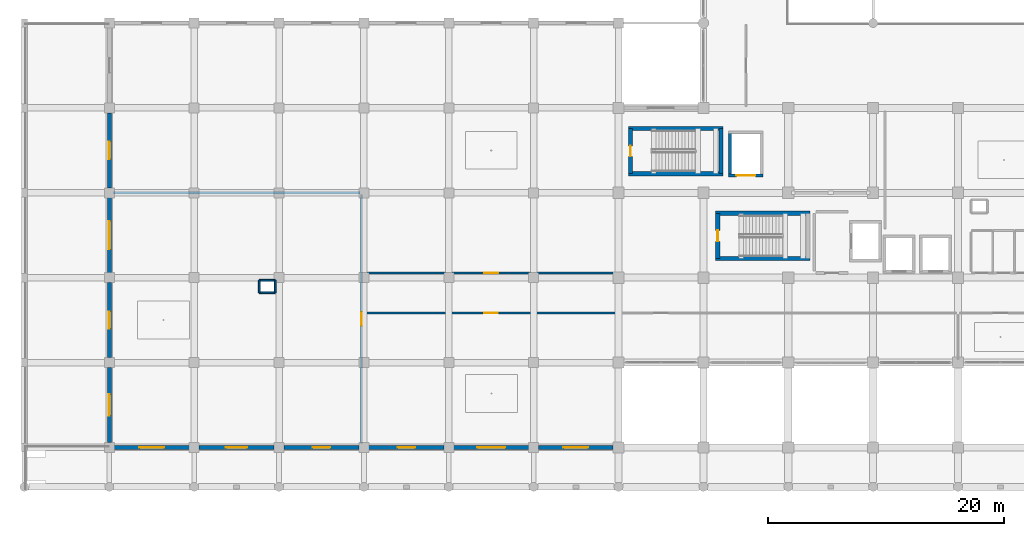
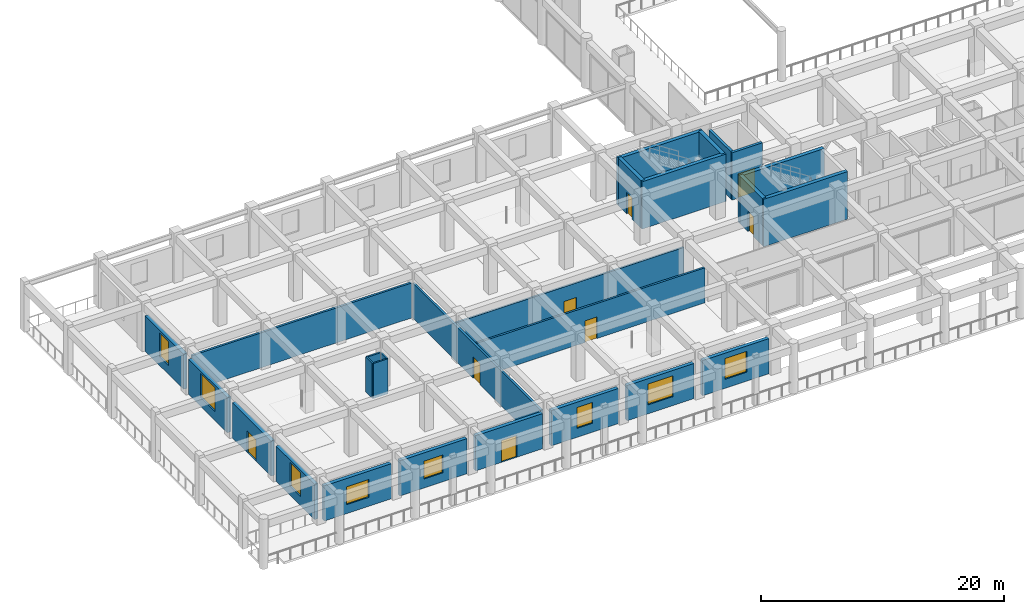
# One storey, part 29 of 54: 27 walls, 8 doors, 8 windows, 16 openings.
"""IFC4 building model written with IfcOpenShell, lengths in metres."""

from ifc_helpers import new_model, si_unit, direction, frame, frame_2d, origin, place, context, subcontext, project, spatial, rectangle, extrude, material, layer, layer_set, type_object, element, fill, save


model = new_model("IFC4")

# Units and contexts
model_context = context("Model", 3, precision=1e-05, world=origin(), true_north=direction((0.0, 1.0)))
body_context = subcontext(model_context, "Body", "Model", "MODEL_VIEW")
ifc_project = project(units=[si_unit("LENGTHUNIT", "METRE"), si_unit("AREAUNIT", "SQUARE_METRE"), si_unit("VOLUMEUNIT", "CUBIC_METRE"), si_unit("PLANEANGLEUNIT", "RADIAN"), si_unit("MASSUNIT", "GRAM", prefix="KILO")], contexts=[model_context])

# Site, building, storey
site_placement = place(None, origin())
site = spatial("IfcSite", under=ifc_project, at=site_placement, CompositionType="ELEMENT")
building_placement = place(site_placement, origin())
building = spatial("IfcBuilding", under=site, at=building_placement, Name="Kazehaya Institute of Natural Sciences", CompositionType="ELEMENT")
storey_placement = place(building_placement, frame((0.0, 0.0, 5.39990234375)))
storey = spatial("IfcBuildingStorey", under=building, at=storey_placement, Name="L01", CompositionType="ELEMENT", Elevation=5.39990234375)

# Walls
ifc_material_1 = material(Name="Concrete Fc42", Category="concrete")
ifc_layer_1 = layer(ifc_material_1, 0.35009765625, Name="Concrete Fc42", Category="concrete")
ifc_layer_set_1 = layer_set([ifc_layer_1], Name="Concrete Fc42")
wall_type_1 = type_object("IfcWallType", Name="WL-CORE-350", PredefinedType="SHEAR", material=ifc_layer_set_1)
for number, where, z_axis, x_axis, name in (
    (1, (70.85498046875, 22.820068359375, 0.0), (0.0, 0.0, 1.0), (-1.0, 0.0, 0.0), "L01 ST-1 core wall S"),
    (2, (62.844970703125, 26.659912109375, 0.0), (0.0, 0.0, 1.0), (1.0, 0.0, 0.0), "L01 ST-1 core wall N"),
):
    element("IfcWall", number, at=place(storey_placement, frame(where, z_axis=z_axis, x_axis=x_axis)), inside=storey, type_object=wall_type_1, Name=name, PredefinedType="SHEAR", context=body_context, shape_type="SweptSolid", body=[
        extrude(rectangle(XDim=8.010009765625, YDim=0.35009765625, at=frame_2d((4.0048828125, 0.0))), origin(), (0.0, 0.0, 1.0), 4.77001953125),
    ])

# Wall, opening, door
wall_1_placement = place(storey_placement, frame((63.02001953125, 22.820068359375, 0.0), z_axis=(0.0, 0.0, 1.0), x_axis=(0.0, 1.0, 0.0)))
wall_1 = element("IfcWall", 3, at=wall_1_placement, inside=storey, type_object=wall_type_1, Name="L01 ST-1 core wall W", PredefinedType="SHEAR", context=body_context, shape_type="SweptSolid", body=[
    extrude(rectangle(XDim=3.83984375, YDim=0.35009765625, at=frame_2d((1.919921875, 0.0))), origin(), (0.0, 0.0, 1.0), 4.77001953125),
])
opening_1_placement = place(wall_1_placement, frame((1.449951171875, 0.0, 0.0)))
opening_1 = element("IfcOpeningElement", 4, at=opening_1_placement, cuts=wall_1, Name="Opening D-ST-003", PredefinedType="OPENING", context=body_context, shape_type="SweptSolid", body=[
    extrude(rectangle(XDim=0.93994140625, YDim=2.06005859375, at=frame_2d((0.469970703125, 1.030029296875))), frame((0.0, 0.18505859375, 0.0), z_axis=(0.0, -1.0, 0.0), x_axis=(1.0, 0.0, 0.0)), (0.0, 0.0, 1.0), 0.3701171875),
])
ifc_material_2 = material(Name="Fire-rated steel acoustic door", Category="steel")
door_type_1 = type_object("IfcDoorType", Name="DT-FD-04", OperationType="NOTDEFINED", PredefinedType="DOOR", material=ifc_material_2)
door_1_placement = place(opening_1_placement, origin())
door_1 = element("IfcDoor", 5, at=door_1_placement, inside=storey, type_object=door_type_1, Name="L01 ST-1 stair enclosure door D-ST-003", OperationType="SINGLE_SWING_LEFT", OverallHeight=2.06005859375, OverallWidth=0.93994140625, PredefinedType="DOOR", context=body_context, shape_type="SweptSolid", body=[
    extrude(rectangle(XDim=0.93994140625, YDim=2.06005859375, at=frame_2d((0.469970703125, 1.030029296875))), frame((0.0, 0.02490234375, 0.0), z_axis=(0.0, -1.0, 0.0), x_axis=(1.0, 0.0, 0.0)), (0.0, 0.0, 1.0), 0.050048828125),
])
fill(opening_1, door_1)

# Walls
for number, where, z_axis, x_axis, name in (
    (6, (63.455078125, 30.02001953125, 0.0), (0.0, 0.0, 1.0), (-1.0, 0.0, 0.0), "L01 ST-4 core wall S"),
    (7, (55.445068359375, 33.860107421875, 0.0), (0.0, 0.0, 1.0), (1.0, 0.0, 0.0), "L01 ST-4 core wall N"),
):
    element("IfcWall", number, at=place(storey_placement, frame(where, z_axis=z_axis, x_axis=x_axis)), inside=storey, type_object=wall_type_1, Name=name, PredefinedType="SHEAR", context=body_context, shape_type="SweptSolid", body=[
        extrude(rectangle(XDim=8.010009765625, YDim=0.35009765625, at=frame_2d((4.0048828125, 0.0))), origin(), (0.0, 0.0, 1.0), 4.77001953125),
    ])

# Wall, opening, door
wall_2_placement = place(storey_placement, frame((55.6201171875, 30.02001953125, 0.0), z_axis=(0.0, 0.0, 1.0), x_axis=(0.0, 1.0, 0.0)))
wall_2 = element("IfcWall", 8, at=wall_2_placement, inside=storey, type_object=wall_type_1, Name="L01 ST-4 core wall W", PredefinedType="SHEAR", context=body_context, shape_type="SweptSolid", body=[
    extrude(rectangle(XDim=3.840087890625, YDim=0.35009765625, at=frame_2d((1.919921875, 0.0))), origin(), (0.0, 0.0, 1.0), 4.77001953125),
])
opening_2_placement = place(wall_2_placement, frame((1.469970703125, 0.0, 0.0)))
opening_2 = element("IfcOpeningElement", 9, at=opening_2_placement, cuts=wall_2, Name="Opening D-ST-032", PredefinedType="OPENING", context=body_context, shape_type="SweptSolid", body=[
    extrude(rectangle(XDim=0.89990234375, YDim=2.179931640625, at=frame_2d((0.449951171875, 1.08984375))), frame((0.0, 0.18505859375, 0.0), z_axis=(0.0, -1.0, 0.0), x_axis=(1.0, 0.0, 0.0)), (0.0, 0.0, 1.0), 0.3701171875),
])
door_type_2 = type_object("IfcDoorType", Name="DT-FD-03", OperationType="NOTDEFINED", PredefinedType="DOOR", material=ifc_material_2)
door_2_placement = place(opening_2_placement, origin())
door_2 = element("IfcDoor", 10, at=door_2_placement, inside=storey, type_object=door_type_2, Name="L01 ST-4 stair enclosure door D-ST-032", OperationType="SINGLE_SWING_RIGHT", OverallHeight=2.179931640625, OverallWidth=0.89990234375, PredefinedType="DOOR", context=body_context, shape_type="SweptSolid", body=[
    extrude(rectangle(XDim=0.89990234375, YDim=2.179931640625, at=frame_2d((0.449951171875, 1.08984375))), frame((0.0, 0.02490234375, 0.0), z_axis=(0.0, -1.0, 0.0), x_axis=(1.0, 0.0, 0.0)), (0.0, 0.0, 1.0), 0.050048828125),
])
fill(opening_2, door_2)

# Wall
wall_3_placement = place(storey_placement, frame((63.280029296875, 33.860107421875, 0.0), z_axis=(0.0, 0.0, 1.0), x_axis=(0.0, -1.0, 0.0)))
element("IfcWall", 11, at=wall_3_placement, inside=storey, type_object=wall_type_1, Name="L01 ST-4 core wall E", PredefinedType="SHEAR", context=body_context, shape_type="SweptSolid", body=[
    extrude(rectangle(XDim=3.840087890625, YDim=0.35009765625, at=frame_2d((1.919921875, 0.0))), origin(), (0.0, 0.0, 1.0), 4.77001953125),
])

# Wall, opening, window
ifc_material_3 = material(Name="Precast concrete Fc36", Category="concrete")
ifc_layer_2 = layer(ifc_material_3, 0.340087890625, Name="Precast concrete Fc36", Category="concrete")
ifc_layer_set_2 = layer_set([ifc_layer_2], Name="Precast concrete Fc36")
wall_type_2 = type_object("IfcWallType", Name="WL-EXT-340", PredefinedType="SOLIDWALL", material=ifc_layer_set_2)
wall_4_placement = place(storey_placement, frame((11.39990234375, 7.2099609375, 0.0), z_axis=(0.0, 0.0, 1.0), x_axis=(0.0, 1.0, 0.0)))
wall_4 = element("IfcWall", 12, at=wall_4_placement, inside=storey, type_object=wall_type_2, Name="L01 exterior wall EW-L01-0351", PredefinedType="SOLIDWALL", context=body_context, shape_type="SweptSolid", body=[
    extrude(rectangle(XDim=6.380126953125, YDim=0.340087890625, at=frame_2d((3.18994140625, 0.0))), origin(), (0.0, 0.0, 1.0), 3.5400390625),
])
opening_3_placement = place(wall_4_placement, frame((2.2900390625, 0.0, 0.89990234375)))
opening_3 = element("IfcOpeningElement", 13, at=opening_3_placement, cuts=wall_4, Name="Opening W01", PredefinedType="OPENING", context=body_context, shape_type="SweptSolid", body=[
    extrude(rectangle(XDim=1.800048828125, YDim=2.39990234375, at=frame_2d((0.89990234375, 1.199951171875))), frame((0.0, 0.179931640625, 0.0), z_axis=(0.0, -1.0, 0.0), x_axis=(1.0, 0.0, 0.0)), (0.0, 0.0, 1.0), 0.360107421875),
])
ifc_material_4 = material(Name="Low-E double-glazed aluminium window", Category="aluminium")
window_type_1 = type_object("IfcWindowType", Name="WN-01", PartitioningType="DOUBLE_PANEL_VERTICAL", PredefinedType="WINDOW", material=ifc_material_4)
window_1_placement = place(opening_3_placement, origin())
window_1 = element("IfcWindow", 14, at=window_1_placement, inside=storey, type_object=window_type_1, Name="L01 facade window 0213", OverallHeight=2.39990234375, OverallWidth=1.800048828125, PartitioningType="DOUBLE_PANEL_VERTICAL", PredefinedType="WINDOW", context=body_context, shape_type="SweptSolid", body=[
    extrude(rectangle(XDim=1.800048828125, YDim=2.39990234375, at=frame_2d((0.89990234375, 1.199951171875))), frame((0.0, 0.030029296875, 0.0), z_axis=(0.0, -1.0, 0.0), x_axis=(1.0, 0.0, 0.0)), (0.0, 0.0, 1.0), 0.06005859375),
])
fill(opening_3, window_1)

# Wall, opening, door
wall_5_placement = place(storey_placement, frame((11.39990234375, 14.409912109375, 0.0), z_axis=(0.0, 0.0, 1.0), x_axis=(0.0, 1.0, 0.0)))
wall_5 = element("IfcWall", 15, at=wall_5_placement, inside=storey, type_object=wall_type_2, Name="L01 exterior wall EW-L01-0352", PredefinedType="SOLIDWALL", context=body_context, shape_type="SweptSolid", body=[
    extrude(rectangle(XDim=6.380126953125, YDim=0.340087890625, at=frame_2d((3.18994140625, 0.0))), origin(), (0.0, 0.0, 1.0), 3.5400390625),
])
opening_4_placement = place(wall_5_placement, frame((2.465087890625, 0.0, 0.0)))
opening_4 = element("IfcOpeningElement", 16, at=opening_4_placement, cuts=wall_5, Name="Opening D-TER-L01W", PredefinedType="OPENING", context=body_context, shape_type="SweptSolid", body=[
    extrude(rectangle(XDim=1.449951171875, YDim=2.199951171875, at=frame_2d((0.72509765625, 1.10009765625))), frame((0.0, 0.179931640625, 0.0), z_axis=(0.0, -1.0, 0.0), x_axis=(1.0, 0.0, 0.0)), (0.0, 0.0, 1.0), 0.360107421875),
])
ifc_material_5 = material(Name="Insulated bronze-clad steel door", Category="steel")
door_type_3 = type_object("IfcDoorType", Name="DT-TER-1450x2200", OperationType="DOUBLE_DOOR_SINGLE_SWING", PredefinedType="DOOR", material=ifc_material_5)
door_3_placement = place(opening_4_placement, origin())
door_3 = element("IfcDoor", 17, at=door_3_placement, inside=storey, type_object=door_type_3, Name="L01 exterior door D-TER-L01W", OperationType="DOUBLE_DOOR_SINGLE_SWING", OverallHeight=2.199951171875, OverallWidth=1.449951171875, PredefinedType="DOOR", context=body_context, shape_type="SweptSolid", body=[
    extrude(rectangle(XDim=1.449951171875, YDim=2.199951171875, at=frame_2d((0.72509765625, 1.10009765625))), frame((0.0, 0.02490234375, 0.0), z_axis=(0.0, -1.0, 0.0), x_axis=(1.0, 0.0, 0.0)), (0.0, 0.0, 1.0), 0.050048828125),
])
fill(opening_4, door_3)

# Wall, opening, window
wall_6_placement = place(storey_placement, frame((11.39990234375, 21.610107421875, 0.0), z_axis=(0.0, 0.0, 1.0), x_axis=(0.0, 1.0, 0.0)))
wall_6 = element("IfcWall", 18, at=wall_6_placement, inside=storey, type_object=wall_type_2, Name="L01 exterior wall EW-L01-0353", PredefinedType="SOLIDWALL", context=body_context, shape_type="SweptSolid", body=[
    extrude(rectangle(XDim=6.3798828125, YDim=0.340087890625, at=frame_2d((3.18994140625, 0.0))), origin(), (0.0, 0.0, 1.0), 3.5400390625),
])
opening_5_placement = place(wall_6_placement, frame((1.989990234375, 0.0, 0.89990234375)))
opening_5 = element("IfcOpeningElement", 19, at=opening_5_placement, cuts=wall_6, Name="Opening W03", PredefinedType="OPENING", context=body_context, shape_type="SweptSolid", body=[
    extrude(rectangle(XDim=2.39990234375, YDim=2.39990234375, at=frame_2d((1.199951171875, 1.199951171875))), frame((0.0, 0.179931640625, 0.0), z_axis=(0.0, -1.0, 0.0), x_axis=(1.0, 0.0, 0.0)), (0.0, 0.0, 1.0), 0.360107421875),
])
window_type_2 = type_object("IfcWindowType", Name="WN-03", PartitioningType="DOUBLE_PANEL_VERTICAL", PredefinedType="WINDOW", material=ifc_material_4)
window_2_placement = place(opening_5_placement, origin())
window_2 = element("IfcWindow", 20, at=window_2_placement, inside=storey, type_object=window_type_2, Name="L01 facade window 0214", OverallHeight=2.39990234375, OverallWidth=2.39990234375, PartitioningType="DOUBLE_PANEL_VERTICAL", PredefinedType="WINDOW", context=body_context, shape_type="SweptSolid", body=[
    extrude(rectangle(XDim=2.39990234375, YDim=2.39990234375, at=frame_2d((1.199951171875, 1.199951171875))), frame((0.0, 0.030029296875, 0.0), z_axis=(0.0, -1.0, 0.0), x_axis=(1.0, 0.0, 0.0)), (0.0, 0.0, 1.0), 0.06005859375),
])
fill(opening_5, window_2)

wall_7_placement = place(storey_placement, frame((11.39990234375, 28.81005859375, 0.0), z_axis=(0.0, 0.0, 1.0), x_axis=(0.0, 1.0, 0.0)))
wall_7 = element("IfcWall", 21, at=wall_7_placement, inside=storey, type_object=wall_type_2, Name="L01 exterior wall EW-L01-0354", PredefinedType="SOLIDWALL", context=body_context, shape_type="SweptSolid", body=[
    extrude(rectangle(XDim=6.3798828125, YDim=0.340087890625, at=frame_2d((3.18994140625, 0.0))), origin(), (0.0, 0.0, 1.0), 3.5400390625),
])
opening_6_placement = place(wall_7_placement, frame((2.43994140625, 0.0, 0.89990234375)))
opening_6 = element("IfcOpeningElement", 22, at=opening_6_placement, cuts=wall_7, Name="Opening W04", PredefinedType="OPENING", context=body_context, shape_type="SweptSolid", body=[
    extrude(rectangle(XDim=1.5, YDim=2.39990234375, at=frame_2d((0.75, 1.199951171875))), frame((0.0, 0.179931640625, 0.0), z_axis=(0.0, -1.0, 0.0), x_axis=(1.0, 0.0, 0.0)), (0.0, 0.0, 1.0), 0.360107421875),
])
window_type_3 = type_object("IfcWindowType", Name="WN-04", PartitioningType="SINGLE_PANEL", PredefinedType="WINDOW", material=ifc_material_4)
window_3_placement = place(opening_6_placement, origin())
window_3 = element("IfcWindow", 23, at=window_3_placement, inside=storey, type_object=window_type_3, Name="L01 facade window 0215", OverallHeight=2.39990234375, OverallWidth=1.5, PartitioningType="SINGLE_PANEL", PredefinedType="WINDOW", context=body_context, shape_type="SweptSolid", body=[
    extrude(rectangle(XDim=1.5, YDim=2.39990234375, at=frame_2d((0.75, 1.199951171875))), frame((0.0, 0.030029296875, 0.0), z_axis=(0.0, -1.0, 0.0), x_axis=(1.0, 0.0, 0.0)), (0.0, 0.0, 1.0), 0.06005859375),
])
fill(opening_6, window_3)

wall_8_placement = place(storey_placement, frame((54.139892578125, 6.800048828125, 0.0), z_axis=(0.0, 0.0, 1.0), x_axis=(-1.0, 0.0, 0.0)))
wall_8 = element("IfcWall", 24, at=wall_8_placement, inside=storey, type_object=wall_type_2, Name="L01 exterior wall EW-L01-0356", PredefinedType="SOLIDWALL", context=body_context, shape_type="SweptSolid", body=[
    extrude(rectangle(XDim=6.329833984375, YDim=0.340087890625, at=frame_2d((3.1650390625, 0.0))), origin(), (0.0, 0.0, 1.0), 3.5400390625),
])
opening_7_placement = place(wall_8_placement, frame((2.114990234375, 0.0, 0.89990234375)))
opening_7 = element("IfcOpeningElement", 25, at=opening_7_placement, cuts=wall_8, Name="Opening W07", PredefinedType="OPENING", context=body_context, shape_type="SweptSolid", body=[
    extrude(rectangle(XDim=2.10009765625, YDim=2.10009765625, at=frame_2d((1.050048828125, 1.050048828125))), frame((0.0, 0.179931640625, 0.0), z_axis=(0.0, -1.0, 0.0), x_axis=(1.0, 0.0, 0.0)), (0.0, 0.0, 1.0), 0.360107421875),
])
window_type_4 = type_object("IfcWindowType", Name="WN-07", PartitioningType="DOUBLE_PANEL_VERTICAL", PredefinedType="WINDOW", material=ifc_material_4)
window_4_placement = place(opening_7_placement, origin())
window_4 = element("IfcWindow", 26, at=window_4_placement, inside=storey, type_object=window_type_4, Name="L01 facade window 0217", OverallHeight=2.10009765625, OverallWidth=2.10009765625, PartitioningType="DOUBLE_PANEL_VERTICAL", PredefinedType="WINDOW", context=body_context, shape_type="SweptSolid", body=[
    extrude(rectangle(XDim=2.10009765625, YDim=2.10009765625, at=frame_2d((1.050048828125, 1.050048828125))), frame((0.0, 0.030029296875, 0.0), z_axis=(0.0, -1.0, 0.0), x_axis=(1.0, 0.0, 0.0)), (0.0, 0.0, 1.0), 0.06005859375),
])
fill(opening_7, window_4)

wall_9_placement = place(storey_placement, frame((46.989990234375, 6.800048828125, 0.0), z_axis=(0.0, 0.0, 1.0), x_axis=(-1.0, 0.0, 0.0)))
wall_9 = element("IfcWall", 27, at=wall_9_placement, inside=storey, type_object=wall_type_2, Name="L01 exterior wall EW-L01-0357", PredefinedType="SOLIDWALL", context=body_context, shape_type="SweptSolid", body=[
    extrude(rectangle(XDim=6.3798828125, YDim=0.340087890625, at=frame_2d((3.18994140625, 0.0))), origin(), (0.0, 0.0, 1.0), 3.5400390625),
])
opening_8_placement = place(wall_9_placement, frame((1.989990234375, 0.0, 0.89990234375)))
opening_8 = element("IfcOpeningElement", 28, at=opening_8_placement, cuts=wall_9, Name="Opening W08", PredefinedType="OPENING", context=body_context, shape_type="SweptSolid", body=[
    extrude(rectangle(XDim=2.39990234375, YDim=2.10009765625, at=frame_2d((1.199951171875, 1.050048828125))), frame((0.0, 0.179931640625, 0.0), z_axis=(0.0, -1.0, 0.0), x_axis=(1.0, 0.0, 0.0)), (0.0, 0.0, 1.0), 0.360107421875),
])
window_type_5 = type_object("IfcWindowType", Name="WN-08", PartitioningType="DOUBLE_PANEL_VERTICAL", PredefinedType="WINDOW", material=ifc_material_4)
window_5_placement = place(opening_8_placement, origin())
window_5 = element("IfcWindow", 29, at=window_5_placement, inside=storey, type_object=window_type_5, Name="L01 facade window 0218", OverallHeight=2.10009765625, OverallWidth=2.39990234375, PartitioningType="DOUBLE_PANEL_VERTICAL", PredefinedType="WINDOW", context=body_context, shape_type="SweptSolid", body=[
    extrude(rectangle(XDim=2.39990234375, YDim=2.10009765625, at=frame_2d((1.199951171875, 1.050048828125))), frame((0.0, 0.030029296875, 0.0), z_axis=(0.0, -1.0, 0.0), x_axis=(1.0, 0.0, 0.0)), (0.0, 0.0, 1.0), 0.06005859375),
])
fill(opening_8, window_5)

wall_10_placement = place(storey_placement, frame((39.7900390625, 6.800048828125, 0.0), z_axis=(0.0, 0.0, 1.0), x_axis=(-1.0, 0.0, 0.0)))
wall_10 = element("IfcWall", 30, at=wall_10_placement, inside=storey, type_object=wall_type_2, Name="L01 exterior wall EW-L01-0358", PredefinedType="SOLIDWALL", context=body_context, shape_type="SweptSolid", body=[
    extrude(rectangle(XDim=6.380126953125, YDim=0.340087890625, at=frame_2d((3.18994140625, 0.0))), origin(), (0.0, 0.0, 1.0), 3.5400390625),
])
opening_9_placement = place(wall_10_placement, frame((2.43994140625, 0.0, 0.89990234375)))
opening_9 = element("IfcOpeningElement", 31, at=opening_9_placement, cuts=wall_10, Name="Opening W09", PredefinedType="OPENING", context=body_context, shape_type="SweptSolid", body=[
    extrude(rectangle(XDim=1.5, YDim=2.10009765625, at=frame_2d((0.75, 1.050048828125))), frame((0.0, 0.179931640625, 0.0), z_axis=(0.0, -1.0, 0.0), x_axis=(1.0, 0.0, 0.0)), (0.0, 0.0, 1.0), 0.360107421875),
])
window_type_6 = type_object("IfcWindowType", Name="WN-09", PartitioningType="SINGLE_PANEL", PredefinedType="WINDOW", material=ifc_material_4)
window_6_placement = place(opening_9_placement, origin())
window_6 = element("IfcWindow", 32, at=window_6_placement, inside=storey, type_object=window_type_6, Name="L01 facade window 0219", OverallHeight=2.10009765625, OverallWidth=1.5, PartitioningType="SINGLE_PANEL", PredefinedType="WINDOW", context=body_context, shape_type="SweptSolid", body=[
    extrude(rectangle(XDim=1.5, YDim=2.10009765625, at=frame_2d((0.75, 1.050048828125))), frame((0.0, 0.030029296875, 0.0), z_axis=(0.0, -1.0, 0.0), x_axis=(1.0, 0.0, 0.0)), (0.0, 0.0, 1.0), 0.06005859375),
])
fill(opening_9, window_6)

# Wall, opening, door
wall_11_placement = place(storey_placement, frame((32.590087890625, 6.800048828125, 0.0), z_axis=(0.0, 0.0, 1.0), x_axis=(-1.0, 0.0, 0.0)))
wall_11 = element("IfcWall", 33, at=wall_11_placement, inside=storey, type_object=wall_type_2, Name="L01 exterior wall EW-L01-0359", PredefinedType="SOLIDWALL", context=body_context, shape_type="SweptSolid", body=[
    extrude(rectangle(XDim=6.380126953125, YDim=0.340087890625, at=frame_2d((3.18994140625, 0.0))), origin(), (0.0, 0.0, 1.0), 3.5400390625),
])
opening_10_placement = place(wall_11_placement, frame((2.43994140625, 0.0, 0.0)))
opening_10 = element("IfcOpeningElement", 34, at=opening_10_placement, cuts=wall_11, Name="Opening D-TER-L01S", PredefinedType="OPENING", context=body_context, shape_type="SweptSolid", body=[
    extrude(rectangle(XDim=1.5, YDim=2.199951171875, at=frame_2d((0.75, 1.10009765625))), frame((0.0, 0.179931640625, 0.0), z_axis=(0.0, -1.0, 0.0), x_axis=(1.0, 0.0, 0.0)), (0.0, 0.0, 1.0), 0.360107421875),
])
door_type_4 = type_object("IfcDoorType", Name="DT-TER-1500x2200", OperationType="DOUBLE_DOOR_SINGLE_SWING", PredefinedType="DOOR", material=ifc_material_5)
door_4_placement = place(opening_10_placement, origin())
door_4 = element("IfcDoor", 35, at=door_4_placement, inside=storey, type_object=door_type_4, Name="L01 exterior door D-TER-L01S", OperationType="DOUBLE_DOOR_SINGLE_SWING", OverallHeight=2.199951171875, OverallWidth=1.5, PredefinedType="DOOR", context=body_context, shape_type="SweptSolid", body=[
    extrude(rectangle(XDim=1.5, YDim=2.199951171875, at=frame_2d((0.75, 1.10009765625))), frame((0.0, 0.02490234375, 0.0), z_axis=(0.0, -1.0, 0.0), x_axis=(1.0, 0.0, 0.0)), (0.0, 0.0, 1.0), 0.050048828125),
])
fill(opening_10, door_4)

# Wall, opening, window
wall_12_placement = place(storey_placement, frame((25.389892578125, 6.800048828125, 0.0), z_axis=(0.0, 0.0, 1.0), x_axis=(-1.0, 0.0, 0.0)))
wall_12 = element("IfcWall", 36, at=wall_12_placement, inside=storey, type_object=wall_type_2, Name="L01 exterior wall EW-L01-0360", PredefinedType="SOLIDWALL", context=body_context, shape_type="SweptSolid", body=[
    extrude(rectangle(XDim=6.3798828125, YDim=0.340087890625, at=frame_2d((3.18994140625, 0.0))), origin(), (0.0, 0.0, 1.0), 3.5400390625),
])
opening_11_placement = place(wall_12_placement, frame((2.2900390625, 0.0, 0.89990234375)))
opening_11 = element("IfcOpeningElement", 37, at=opening_11_placement, cuts=wall_12, Name="Opening W11", PredefinedType="OPENING", context=body_context, shape_type="SweptSolid", body=[
    extrude(rectangle(XDim=1.800048828125, YDim=1.800048828125, at=frame_2d((0.89990234375, 0.89990234375))), frame((0.0, 0.179931640625, 0.0), z_axis=(0.0, -1.0, 0.0), x_axis=(1.0, 0.0, 0.0)), (0.0, 0.0, 1.0), 0.360107421875),
])
window_type_7 = type_object("IfcWindowType", Name="WN-11", PartitioningType="DOUBLE_PANEL_VERTICAL", PredefinedType="WINDOW", material=ifc_material_4)
window_7_placement = place(opening_11_placement, origin())
window_7 = element("IfcWindow", 38, at=window_7_placement, inside=storey, type_object=window_type_7, Name="L01 facade window 0220", OverallHeight=1.800048828125, OverallWidth=1.800048828125, PartitioningType="DOUBLE_PANEL_VERTICAL", PredefinedType="WINDOW", context=body_context, shape_type="SweptSolid", body=[
    extrude(rectangle(XDim=1.800048828125, YDim=1.800048828125, at=frame_2d((0.89990234375, 0.89990234375))), frame((0.0, 0.030029296875, 0.0), z_axis=(0.0, -1.0, 0.0), x_axis=(1.0, 0.0, 0.0)), (0.0, 0.0, 1.0), 0.06005859375),
])
fill(opening_11, window_7)

wall_13_placement = place(storey_placement, frame((18.18994140625, 6.800048828125, 0.0), z_axis=(0.0, 0.0, 1.0), x_axis=(-1.0, 0.0, 0.0)))
wall_13 = element("IfcWall", 39, at=wall_13_placement, inside=storey, type_object=wall_type_2, Name="L01 exterior wall EW-L01-0361", PredefinedType="SOLIDWALL", context=body_context, shape_type="SweptSolid", body=[
    extrude(rectangle(XDim=6.3798828125, YDim=0.340087890625, at=frame_2d((3.18994140625, 0.0))), origin(), (0.0, 0.0, 1.0), 3.5400390625),
])
opening_12_placement = place(wall_13_placement, frame((2.139892578125, 0.0, 0.89990234375)))
opening_12 = element("IfcOpeningElement", 40, at=opening_12_placement, cuts=wall_13, Name="Opening W12", PredefinedType="OPENING", context=body_context, shape_type="SweptSolid", body=[
    extrude(rectangle(XDim=2.10009765625, YDim=1.800048828125, at=frame_2d((1.050048828125, 0.89990234375))), frame((0.0, 0.179931640625, 0.0), z_axis=(0.0, -1.0, 0.0), x_axis=(1.0, 0.0, 0.0)), (0.0, 0.0, 1.0), 0.360107421875),
])
window_type_8 = type_object("IfcWindowType", Name="WN-12", PartitioningType="DOUBLE_PANEL_VERTICAL", PredefinedType="WINDOW", material=ifc_material_4)
window_8_placement = place(opening_12_placement, origin())
window_8 = element("IfcWindow", 41, at=window_8_placement, inside=storey, type_object=window_type_8, Name="L01 facade window 0221", OverallHeight=1.800048828125, OverallWidth=2.10009765625, PartitioningType="DOUBLE_PANEL_VERTICAL", PredefinedType="WINDOW", context=body_context, shape_type="SweptSolid", body=[
    extrude(rectangle(XDim=2.10009765625, YDim=1.800048828125, at=frame_2d((1.050048828125, 0.89990234375))), frame((0.0, 0.030029296875, 0.0), z_axis=(0.0, -1.0, 0.0), x_axis=(1.0, 0.0, 0.0)), (0.0, 0.0, 1.0), 0.06005859375),
])
fill(opening_12, window_8)

# Wall, opening, door
ifc_material_6 = material(Name="Cleanroom insulated metal partition")
ifc_layer_3 = layer(ifc_material_6, 0.179931640625, Name="Cleanroom insulated metal partition")
ifc_layer_set_3 = layer_set([ifc_layer_3], Name="Cleanroom insulated metal partition")
wall_type_3 = type_object("IfcWallType", Name="WL-PART-180", PredefinedType="PARTITIONING", material=ifc_layer_set_3)
wall_14_placement = place(storey_placement, frame((54.64990234375, 21.60009765625, 0.0), z_axis=(0.0, 0.0, 1.0), x_axis=(-1.0, 0.0, 0.0)))
wall_14 = element("IfcWall", 42, at=wall_14_placement, inside=storey, type_object=wall_type_3, Name="L01 Bio-Safety Clean Laboratory partition IW-L01-0112", PredefinedType="PARTITIONING", context=body_context, shape_type="SweptSolid", body=[
    extrude(rectangle(XDim=21.699951171875, YDim=0.179931640625, at=frame_2d((10.85009765625, 0.0))), origin(), (0.0, 0.0, 1.0), 3.52001953125),
])
opening_13_placement = place(wall_14_placement, frame((10.260009765625, 0.0, 0.0)))
opening_13 = element("IfcOpeningElement", 43, at=opening_13_placement, cuts=wall_14, Name="Opening D-L01-0089", PredefinedType="OPENING", context=body_context, shape_type="SweptSolid", body=[
    extrude(rectangle(XDim=1.179931640625, YDim=2.06005859375, at=frame_2d((0.58984375, 1.030029296875))), frame((0.0, 0.099853515625, 0.0), z_axis=(0.0, -1.0, 0.0), x_axis=(1.0, 0.0, 0.0)), (0.0, 0.0, 1.0), 0.199951171875),
])
door_type_5 = type_object("IfcDoorType", Name="DT-FD-22", OperationType="NOTDEFINED", PredefinedType="DOOR", material=ifc_material_2)
door_5_placement = place(opening_13_placement, origin())
door_5 = element("IfcDoor", 44, at=door_5_placement, inside=storey, type_object=door_type_5, Name="L01 Bio-Safety Clean Laboratory door D-L01-0089", OperationType="SINGLE_SWING_LEFT", OverallHeight=2.06005859375, OverallWidth=1.179931640625, PredefinedType="DOOR", context=body_context, shape_type="SweptSolid", body=[
    extrude(rectangle(XDim=1.179931640625, YDim=2.06005859375, at=frame_2d((0.58984375, 1.030029296875))), frame((0.0, 0.02490234375, 0.0), z_axis=(0.0, -1.0, 0.0), x_axis=(1.0, 0.0, 0.0)), (0.0, 0.0, 1.0), 0.050048828125),
])
fill(opening_13, door_5)

ifc_material_7 = material(Name="Gypsum acoustic lab partition", Category="gypsum")
ifc_layer_4 = layer(ifc_material_7, 0.18994140625, Name="Gypsum acoustic lab partition", Category="gypsum")
ifc_layer_set_4 = layer_set([ifc_layer_4], Name="Gypsum acoustic lab partition")
wall_type_4 = type_object("IfcWallType", Name="WL-PART-190", PredefinedType="PARTITIONING", material=ifc_layer_set_4)
wall_15_placement = place(storey_placement, frame((32.949951171875, 18.199951171875, 0.0), z_axis=(0.0, 0.0, 1.0), x_axis=(1.0, 0.0, 0.0)))
wall_15 = element("IfcWall", 45, at=wall_15_placement, inside=storey, type_object=wall_type_4, Name="L01 Clean Room Gowning and Metrology Suite partition IW-L01-0111", PredefinedType="PARTITIONING", context=body_context, shape_type="SweptSolid", body=[
    extrude(rectangle(XDim=21.699951171875, YDim=0.18994140625, at=frame_2d((10.85009765625, 0.0))), origin(), (0.0, 0.0, 1.0), 3.52001953125),
])
opening_14_placement = place(wall_15_placement, frame((10.280029296875, 0.0, 0.0)))
opening_14 = element("IfcOpeningElement", 46, at=opening_14_placement, cuts=wall_15, Name="Opening D-L01-0088", PredefinedType="OPENING", context=body_context, shape_type="SweptSolid", body=[
    extrude(rectangle(XDim=1.139892578125, YDim=2.179931640625, at=frame_2d((0.56982421875, 1.08984375))), frame((0.0, 0.10498046875, 0.0), z_axis=(0.0, -1.0, 0.0), x_axis=(1.0, 0.0, 0.0)), (0.0, 0.0, 1.0), 0.2099609375),
])
door_type_6 = type_object("IfcDoorType", Name="DT-FD-21", OperationType="NOTDEFINED", PredefinedType="DOOR", material=ifc_material_2)
door_6_placement = place(opening_14_placement, origin())
door_6 = element("IfcDoor", 47, at=door_6_placement, inside=storey, type_object=door_type_6, Name="L01 Clean Room Gowning and Metrology Suite door D-L01-0088", OperationType="SINGLE_SWING_RIGHT", OverallHeight=2.179931640625, OverallWidth=1.139892578125, PredefinedType="DOOR", context=body_context, shape_type="SweptSolid", body=[
    extrude(rectangle(XDim=1.139892578125, YDim=2.179931640625, at=frame_2d((0.56982421875, 1.08984375))), frame((0.0, 0.02490234375, 0.0), z_axis=(0.0, -1.0, 0.0), x_axis=(1.0, 0.0, 0.0)), (0.0, 0.0, 1.0), 0.050048828125),
])
fill(opening_14, door_6)

# Wall
ifc_material_8 = material(Name="Gypsum fire-rated partition", Category="gypsum")
ifc_layer_5 = layer(ifc_material_8, 0.199951171875, Name="Gypsum fire-rated partition", Category="gypsum")
ifc_layer_set_5 = layer_set([ifc_layer_5], Name="Gypsum fire-rated partition")
wall_type_5 = type_object("IfcWallType", Name="WL-PART-200", PredefinedType="PARTITIONING", material=ifc_layer_set_5)
wall_16_placement = place(storey_placement, frame((11.75, 28.39990234375, 0.0), z_axis=(0.0, 0.0, 1.0), x_axis=(1.0, 0.0, 0.0)))
element("IfcWall", 48, at=wall_16_placement, inside=storey, type_object=wall_type_5, Name="L01 Clean Room ISO Class Six Suite partition IW-L01-0109", PredefinedType="PARTITIONING", context=body_context, shape_type="SweptSolid", body=[
    extrude(rectangle(XDim=20.89990234375, YDim=0.199951171875, at=frame_2d((10.449951171875, 0.0))), origin(), (0.0, 0.0, 1.0), 3.52001953125),
])

# Wall, opening, door
wall_17_placement = place(storey_placement, frame((32.800048828125, 28.25, 0.0), z_axis=(0.0, 0.0, 1.0), x_axis=(0.0, -1.0, 0.0)))
wall_17 = element("IfcWall", 49, at=wall_17_placement, inside=storey, type_object=wall_type_5, Name="L01 Clean Room ISO Class Six Suite partition IW-L01-0110", PredefinedType="PARTITIONING", context=body_context, shape_type="SweptSolid", body=[
    extrude(rectangle(XDim=21.10009765625, YDim=0.199951171875, at=frame_2d((10.550048828125, 0.0))), origin(), (0.0, 0.0, 1.0), 3.52001953125),
])
opening_15_placement = place(wall_17_placement, frame((9.97998046875, 0.0, 0.0)))
opening_15 = element("IfcOpeningElement", 50, at=opening_15_placement, cuts=wall_17, Name="Opening D-L01-0087", PredefinedType="OPENING", context=body_context, shape_type="SweptSolid", body=[
    extrude(rectangle(XDim=1.139892578125, YDim=2.1201171875, at=frame_2d((0.56982421875, 1.06005859375))), frame((0.0, 0.10986328125, 0.0), z_axis=(0.0, -1.0, 0.0), x_axis=(1.0, 0.0, 0.0)), (0.0, 0.0, 1.0), 0.219970703125),
])
door_type_7 = type_object("IfcDoorType", Name="DT-FD-20", OperationType="NOTDEFINED", PredefinedType="DOOR", material=ifc_material_2)
door_7_placement = place(opening_15_placement, origin())
door_7 = element("IfcDoor", 51, at=door_7_placement, inside=storey, type_object=door_type_7, Name="L01 Clean Room ISO Class Six Suite door D-L01-0087", OperationType="SINGLE_SWING_LEFT", OverallHeight=2.1201171875, OverallWidth=1.139892578125, PredefinedType="DOOR", context=body_context, shape_type="SweptSolid", body=[
    extrude(rectangle(XDim=1.139892578125, YDim=2.1201171875, at=frame_2d((0.56982421875, 1.06005859375))), frame((0.0, 0.02490234375, 0.0), z_axis=(0.0, -1.0, 0.0), x_axis=(1.0, 0.0, 0.0)), (0.0, 0.0, 1.0), 0.050048828125),
])
fill(opening_15, door_7)

# Walls
ifc_material_9 = material(Name="Concrete Fc36", Category="concrete")
ifc_layer_6 = layer(ifc_material_9, 0.14990234375, Name="Concrete Fc36", Category="concrete")
ifc_layer_set_6 = layer_set([ifc_layer_6], Name="Concrete Fc36")
wall_type_6 = type_object("IfcWallType", Name="WL-RISER-150", PredefinedType="PARTITIONING", material=ifc_layer_set_6)
for number, where, z_axis, x_axis, name in (
    (52, (25.485107421875, 19.9150390625, 0.0), (0.0, 0.0, 1.0), (-1.0, 0.0, 0.0), "L01 fume exhaust riser shaft wall 17"),
    (53, (24.114990234375, 20.985107421875, 0.0), (0.0, 0.0, 1.0), (1.0, 0.0, 0.0), "L01 fume exhaust riser shaft wall 17"),
):
    element("IfcWall", number, at=place(storey_placement, frame(where, z_axis=z_axis, x_axis=x_axis)), inside=storey, type_object=wall_type_6, Name=name, PredefinedType="PARTITIONING", context=body_context, shape_type="SweptSolid", body=[
        extrude(rectangle(XDim=1.3701171875, YDim=0.14990234375, at=frame_2d((0.68505859375, 0.0))), origin(), (0.0, 0.0, 1.0), 3.52001953125),
    ])
for number, where, z_axis, x_axis, name in (
    (54, (24.114990234375, 19.9150390625, 0.0), (0.0, 0.0, 1.0), (0.0, 1.0, 0.0), "L01 fume exhaust riser shaft wall 17"),
    (55, (25.485107421875, 20.985107421875, 0.0), (0.0, 0.0, 1.0), (0.0, -1.0, 0.0), "L01 fume exhaust riser shaft wall 17"),
):
    element("IfcWall", number, at=place(storey_placement, frame(where, z_axis=z_axis, x_axis=x_axis)), inside=storey, type_object=wall_type_6, Name=name, PredefinedType="PARTITIONING", context=body_context, shape_type="SweptSolid", body=[
        extrude(rectangle(XDim=1.070068359375, YDim=0.14990234375, at=frame_2d((0.53515625, 0.0))), origin(), (0.0, 0.0, 1.0), 3.52001953125),
    ])

# Wall, opening, door
ifc_layer_7 = layer(ifc_material_1, 0.25, Name="Concrete Fc42", Category="concrete")
ifc_layer_set_7 = layer_set([ifc_layer_7], Name="Concrete Fc42")
wall_type_7 = type_object("IfcWallType", Name="WL-SHAFT-250", PredefinedType="SHEAR", material=ifc_layer_set_7)
wall_18_placement = place(storey_placement, frame((66.860107421875, 29.864990234375, 0.0), z_axis=(0.0, 0.0, 1.0), x_axis=(-1.0, 0.0, 0.0)))
wall_18 = element("IfcWall", 56, at=wall_18_placement, inside=storey, type_object=wall_type_7, Name="L01 EL06 lift shaft wall south", PredefinedType="SHEAR", context=body_context, shape_type="SweptSolid", body=[
    extrude(rectangle(XDim=2.920166015625, YDim=0.25, at=frame_2d((1.4599609375, 0.0))), origin(), (0.0, 0.0, 1.0), 4.77001953125),
])
opening_16_placement = place(wall_18_placement, frame((0.659912109375, 0.0, 0.0)))
opening_16 = element("IfcOpeningElement", 57, at=opening_16_placement, cuts=wall_18, Name="Opening LD-74", PredefinedType="OPENING", context=body_context, shape_type="SweptSolid", body=[
    extrude(rectangle(XDim=1.60009765625, YDim=2.39990234375, at=frame_2d((0.800048828125, 1.199951171875))), frame((0.0, 0.135009765625, 0.0), z_axis=(0.0, -1.0, 0.0), x_axis=(1.0, 0.0, 0.0)), (0.0, 0.0, 1.0), 0.27001953125),
])
ifc_material_10 = material(Name="Heavy-duty goods lift sliding landing door")
door_type_8 = type_object("IfcDoorType", Name="DT-LD-1600x2400", OperationType="SLIDING_TO_LEFT", PredefinedType="DOOR", material=ifc_material_10)
door_8_placement = place(opening_16_placement, origin())
door_8 = element("IfcDoor", 58, at=door_8_placement, inside=storey, type_object=door_type_8, Name="L01 EL06 sliding landing door LD-74", OperationType="SLIDING_TO_LEFT", OverallHeight=2.39990234375, OverallWidth=1.60009765625, PredefinedType="DOOR", context=body_context, shape_type="SweptSolid", body=[
    extrude(rectangle(XDim=1.60009765625, YDim=2.39990234375, at=frame_2d((0.800048828125, 1.199951171875))), frame((0.0, 0.02490234375, 0.0), z_axis=(0.0, -1.0, 0.0), x_axis=(1.0, 0.0, 0.0)), (0.0, 0.0, 1.0), 0.050048828125),
])
fill(opening_16, door_8)

# Wall
wall_19_placement = place(storey_placement, frame((64.06494140625, 29.864990234375, 0.0), z_axis=(0.0, 0.0, 1.0), x_axis=(0.0, 1.0, 0.0)))
element("IfcWall", 59, at=wall_19_placement, inside=storey, type_object=wall_type_7, Name="L01 EL06 lift shaft wall west", PredefinedType="SHEAR", context=body_context, shape_type="SweptSolid", body=[
    extrude(rectangle(XDim=3.669921875, YDim=0.25, at=frame_2d((1.8349609375, 0.0))), origin(), (0.0, 0.0, 1.0), 4.77001953125),
])

save(model, "model.ifc")
